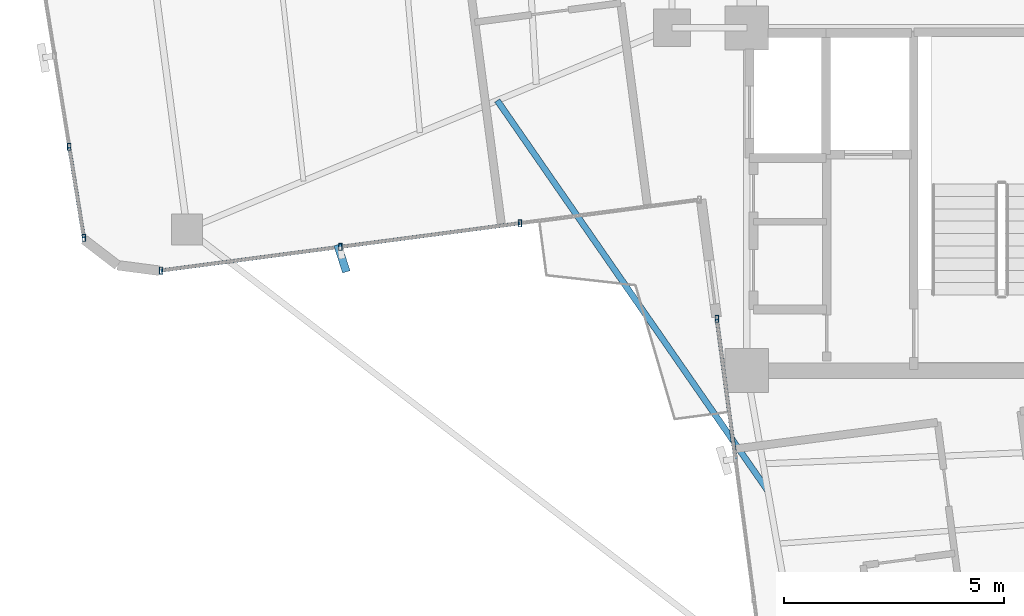
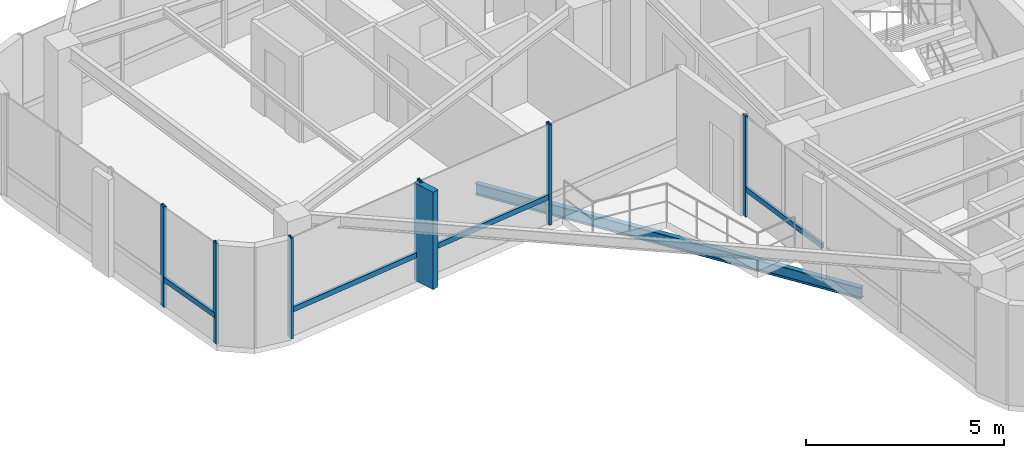
# One storey, part 2 of 22: 11 members, 1 beam, 3 elements without a shape of their own.
"""IFC4 building model written with IfcOpenShell, lengths in metres."""

from ifc_helpers import new_model, si_unit, direction, frame, origin, origin_2d, place, context, subcontext, project, spatial, rectangle, hollow_rectangle, i_section, extrude, source, transform, mapped, material, material_profile, profile_set, type_object, element, aggregate, save


model = new_model("IFC4")

# Units and contexts
model_context = context("Model", 3, precision=1e-05, world=origin(), true_north=direction((0.0, 1.0)))
body_context = subcontext(model_context, "Body", "Model", "MODEL_VIEW")
ifc_project = project(units=[si_unit("LENGTHUNIT", "METRE"), si_unit("AREAUNIT", "SQUARE_METRE"), si_unit("VOLUMEUNIT", "CUBIC_METRE"), si_unit("PLANEANGLEUNIT", "RADIAN"), si_unit("MASSUNIT", "GRAM", prefix="KILO")], contexts=[model_context])

# Site, building, storey
site_placement = place(None, origin())
site = spatial("IfcSite", under=ifc_project, at=site_placement, CompositionType="ELEMENT")
building_placement = place(site_placement, origin())
building = spatial("IfcBuilding", under=site, at=building_placement, Name="Sahyath Konkavel Grand Hotel", CompositionType="ELEMENT")
storey_placement = place(building_placement, frame((0.0, 0.0, 241.14990234375)))
storey = spatial("IfcBuildingStorey", under=building, at=storey_placement, Name="L67", CompositionType="ELEMENT", Elevation=241.14990234375)

# Curtain wall, member
ifc_material_1 = material(Name="Anodised Bronze Aluminium & Low-E Glazing", Category="aluminium")
curtain_wall_type = type_object("IfcCurtainWallType", Name="CW-ZONE4", PredefinedType="NOTDEFINED", material=ifc_material_1)
curtain_wall_1_placement = place(storey_placement, origin())
curtain_wall_1 = element("IfcCurtainWall", 1, at=curtain_wall_1_placement, inside=storey, type_object=curtain_wall_type, Name="L67 Unitised Curtain Wall F23", PredefinedType="NOTDEFINED")
ifc_material_2 = material(Name="Warm Buff Sandstone Cladding on Concrete C50/60", Category="masonry")
ifc_material_profile_1 = material_profile(ifc_material_2, rectangle(XDim=0.179931640625, YDim=0.64990234375, at=origin_2d()), Name="FIN 180x650")
ifc_profile_set_1 = profile_set([ifc_material_profile_1], Name="Warm Buff Sandstone Cladding on Concrete C50/60")
member_type_1 = type_object("IfcMemberType", Name="FIN-SANDSTONE-650", PredefinedType="MULLION", material=ifc_profile_set_1)
shared_shape_1 = source(origin(), body_context, "Body", "SweptSolid", [
    extrude(rectangle(XDim=0.179931640625, YDim=0.64990234375, at=origin_2d()), origin(), (0.0, 0.0, 1.0), 3.010009765625),
])
member_1_placement = place(storey_placement, frame((-13.01171875, -7.644775390625, 0.050048828125), z_axis=(0.0, 0.0, 1.0), x_axis=(0.952767550771, 0.303700500819, 0.0)))
member_1 = element("IfcMember", 2, at=member_1_placement, type_object=member_type_1, Name="L67 Sandstone Vertical Solar Fin FIN F23-1", PredefinedType="MULLION", context=body_context, shape_type="MappedRepresentation", body=[
    mapped(shared_shape_1, transform((0.0, 0.0, 0.0), scale=1.0)),
])

# Curtain wall, members
curtain_wall_2_placement = place(storey_placement, origin())
curtain_wall_2 = element("IfcCurtainWall", 3, at=curtain_wall_2_placement, inside=storey, type_object=curtain_wall_type, Name="L67 Unitised Curtain Wall F20", PredefinedType="NOTDEFINED")
ifc_material_3 = material(Name="Anodised Bronze Aluminium", Category="aluminium")
ifc_material_profile_2 = material_profile(ifc_material_3, hollow_rectangle(XDim=0.080078125, YDim=0.159912109375, WallThickness=0.006103515625, at=origin_2d()), Name="RHS 160x80x6")
ifc_profile_set_2 = profile_set([ifc_material_profile_2], Name="Anodised Bronze Aluminium")
member_type_2 = type_object("IfcMemberType", Name="CW-MUL-160", PredefinedType="MULLION", material=ifc_profile_set_2)
shared_shape_2 = source(origin(), body_context, "Body", "SweptSolid", [
    extrude(hollow_rectangle(XDim=0.080078125, YDim=0.159912109375, WallThickness=0.006103515625, at=origin_2d()), origin(), (0.0, 0.0, 1.0), 3.110107421875),
])
member_2_placement = place(storey_placement, frame((-19.218994140625, -5.111572265625, 0.0), z_axis=(0.0, 0.0, 1.0), x_axis=(1.0, 0.0, 0.0)))
member_2 = element("IfcMember", 4, at=member_2_placement, type_object=member_type_2, Name="L67 Curtain Wall Mullion F20-3", PredefinedType="MULLION", context=body_context, shape_type="MappedRepresentation", body=[
    mapped(shared_shape_2, transform((0.0, 0.0, 0.0), scale=1.0)),
])
member_3_placement = place(storey_placement, frame((-18.884521484375, -7.182373046875, 0.0), z_axis=(0.0, 0.0, 1.0), x_axis=(1.0, 0.0, 0.0)))
member_3 = element("IfcMember", 5, at=member_3_placement, type_object=member_type_2, Name="L67 Curtain Wall Mullion F20-4", PredefinedType="MULLION", context=body_context, shape_type="MappedRepresentation", body=[
    mapped(shared_shape_2, transform((0.0, 0.0, 0.0), scale=1.0)),
])

# Member
member_4_placement = place(storey_placement, frame((-17.129150390625, -7.924560546875, 0.0), z_axis=(0.0, 0.0, 1.0), x_axis=(1.0, 0.0, 0.0)))
member_4 = element("IfcMember", 6, at=member_4_placement, type_object=member_type_2, Name="L67 Curtain Wall Mullion F23-0", PredefinedType="MULLION", context=body_context, shape_type="MappedRepresentation", body=[
    mapped(shared_shape_2, transform((0.0, 0.0, 0.0), scale=1.0)),
])

member_5_placement = place(storey_placement, frame((-13.045654296875, -7.386962890625, 0.0), z_axis=(0.0, 0.0, 1.0), x_axis=(1.0, 0.0, 0.0)))
member_5 = element("IfcMember", 7, at=member_5_placement, type_object=member_type_2, Name="L67 Curtain Wall Mullion F23-1", PredefinedType="MULLION", context=body_context, shape_type="MappedRepresentation", body=[
    mapped(shared_shape_2, transform((0.0, 0.0, 0.0), scale=1.0)),
])

member_6_placement = place(storey_placement, frame((-8.96240234375, -6.849365234375, 0.0), z_axis=(0.0, 0.0, 1.0), x_axis=(1.0, 0.0, 0.0)))
member_6 = element("IfcMember", 8, at=member_6_placement, type_object=member_type_2, Name="L67 Curtain Wall Mullion F23-2", PredefinedType="MULLION", context=body_context, shape_type="MappedRepresentation", body=[
    mapped(shared_shape_2, transform((0.0, 0.0, 0.0), scale=1.0)),
])

# Curtain wall, members
curtain_wall_3_placement = place(storey_placement, origin())
curtain_wall_3 = element("IfcCurtainWall", 9, at=curtain_wall_3_placement, inside=storey, type_object=curtain_wall_type, Name="L67 Unitised Curtain Wall F24", PredefinedType="NOTDEFINED")
member_7_placement = place(storey_placement, frame((-4.481689453125, -9.023193359375, 0.0), z_axis=(0.0, 0.0, 1.0), x_axis=(1.0, 0.0, 0.0)))
member_7 = element("IfcMember", 10, at=member_7_placement, type_object=member_type_2, Name="L67 Curtain Wall Mullion F24-0", PredefinedType="MULLION", context=body_context, shape_type="MappedRepresentation", body=[
    mapped(shared_shape_2, transform((0.0, 0.0, 0.0), scale=1.0)),
])
ifc_material_profile_3 = material_profile(ifc_material_3, hollow_rectangle(XDim=0.080078125, YDim=0.159912109375, WallThickness=0.006103515625, at=origin_2d()), Name="RHS 160x80x6")
ifc_profile_set_3 = profile_set([ifc_material_profile_3], Name="Anodised Bronze Aluminium")
member_type_3 = type_object("IfcMemberType", Name="CW-TRN-160", PredefinedType="USERDEFINED", material=ifc_profile_set_3)
shared_shape_3 = source(origin(), body_context, "Body", "SweptSolid", [
    extrude(hollow_rectangle(XDim=0.080078125, YDim=0.159912109375, WallThickness=0.006103515625, at=origin_2d()), origin(), (0.0, 0.0, 1.0), 3.21875),
])
member_8_placement = place(storey_placement, frame((-4.481689453125, -9.023193359375, 0.85009765625), z_axis=(0.130538882337, -0.991443190606, 0.0), x_axis=(0.991443190606, 0.130538882337, 0.0)))
member_8 = element("IfcMember", 11, at=member_8_placement, type_object=member_type_3, Name="L67 Curtain Wall Transom F24-0-spandrel", ObjectType="TRANSOM", PredefinedType="USERDEFINED", context=body_context, shape_type="MappedRepresentation", body=[
    mapped(shared_shape_3, transform((0.0, 0.0, 0.0), scale=1.0)),
])
aggregate(curtain_wall_3, [member_7, member_8])

# Member
shared_shape_4 = source(origin(), body_context, "Body", "SweptSolid", [
    extrude(hollow_rectangle(XDim=0.080078125, YDim=0.159912109375, WallThickness=0.006103515625, at=origin_2d()), origin(), (0.0, 0.0, 1.0), 2.09765625),
])
member_9_placement = place(storey_placement, frame((-19.218994140625, -5.111572265625, 0.85009765625), z_axis=(0.159451990937, -0.987205684033, 0.0), x_axis=(0.987205684033, 0.159451990937, 0.0)))
member_9 = element("IfcMember", 12, at=member_9_placement, type_object=member_type_3, Name="L67 Curtain Wall Transom F20-3-spandrel", ObjectType="TRANSOM", PredefinedType="USERDEFINED", context=body_context, shape_type="MappedRepresentation", body=[
    mapped(shared_shape_4, transform((0.0, 0.0, 0.0), scale=1.0)),
])

aggregate(curtain_wall_2, [member_2, member_3, member_9])

shared_shape_5 = source(origin(), body_context, "Body", "SweptSolid", [
    extrude(hollow_rectangle(XDim=0.080078125, YDim=0.159912109375, WallThickness=0.006103515625, at=origin_2d()), origin(), (0.0, 0.0, 1.0), 4.11865234375),
])
member_10_placement = place(storey_placement, frame((-17.129150390625, -7.924560546875, 0.85009765625), z_axis=(0.991445012294, 0.130525045861, 0.0), x_axis=(-0.130525045861, 0.991445012294, 0.0)))
member_10 = element("IfcMember", 13, at=member_10_placement, type_object=member_type_3, Name="L67 Curtain Wall Transom F23-0-spandrel", ObjectType="TRANSOM", PredefinedType="USERDEFINED", context=body_context, shape_type="MappedRepresentation", body=[
    mapped(shared_shape_5, transform((0.0, 0.0, 0.0), scale=1.0)),
])

shared_shape_6 = source(origin(), body_context, "Body", "SweptSolid", [
    extrude(hollow_rectangle(XDim=0.080078125, YDim=0.159912109375, WallThickness=0.006103515625, at=origin_2d()), origin(), (0.0, 0.0, 1.0), 4.118408203125),
])
member_11_placement = place(storey_placement, frame((-13.045654296875, -7.386962890625, 0.85009765625), z_axis=(0.991444002338, 0.130532717079, 0.0), x_axis=(-0.130532717079, 0.991444002338, 0.0)))
member_11 = element("IfcMember", 14, at=member_11_placement, type_object=member_type_3, Name="L67 Curtain Wall Transom F23-1-spandrel", ObjectType="TRANSOM", PredefinedType="USERDEFINED", context=body_context, shape_type="MappedRepresentation", body=[
    mapped(shared_shape_6, transform((0.0, 0.0, 0.0), scale=1.0)),
])

aggregate(curtain_wall_1, [member_4, member_5, member_1, member_6, member_10, member_11])

# Beam
ifc_material_4 = material(Name="Steel E350", Category="steel")
ifc_material_profile_4 = material_profile(ifc_material_4, i_section(OverallWidth=0.139892578125, OverallDepth=0.35009765625, WebThickness=0.008056640625, FlangeThickness=0.01416015625, FilletRadius=0.013916015625, at=origin_2d()), Name="ISMB 350")
ifc_profile_set_4 = profile_set([ifc_material_profile_4], Name="Steel E350")
beam_type = type_object("IfcBeamType", Name="BM-BALC-CANT", PredefinedType="BEAM", material=ifc_profile_set_4)
shared_shape_7 = source(origin(), body_context, "Body", "SweptSolid", [
    extrude(i_section(OverallWidth=0.139892578125, OverallDepth=0.35009765625, WebThickness=0.008056640625, FlangeThickness=0.01416015625, FilletRadius=0.013916015625, at=origin_2d()), origin(), (0.0, 0.0, 1.0), 10.804443359375),
])
beam_placement = place(storey_placement, frame((-9.4775390625, -4.05419921875, -0.414794921875), z_axis=(0.569674015078, -0.821870741994, 0.0), x_axis=(0.821870741994, 0.569674015078, 0.0)))
element("IfcBeam", 15, at=beam_placement, inside=storey, type_object=beam_type, Name="L67 Balcony Cantilever Support Beam SW", PredefinedType="BEAM", context=body_context, shape_type="MappedRepresentation", body=[
    mapped(shared_shape_7, transform((0.0, 0.0, 0.0), scale=1.0)),
])

save(model, "model.ifc")
